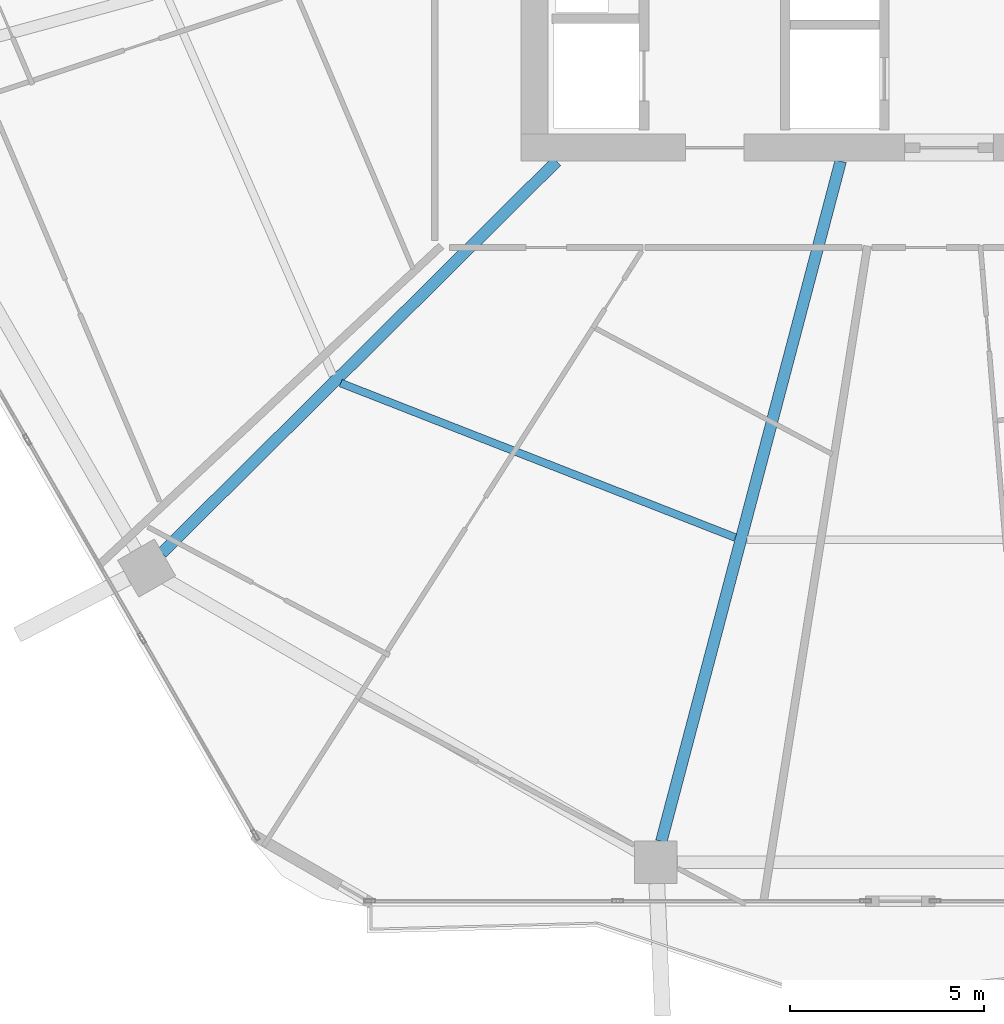
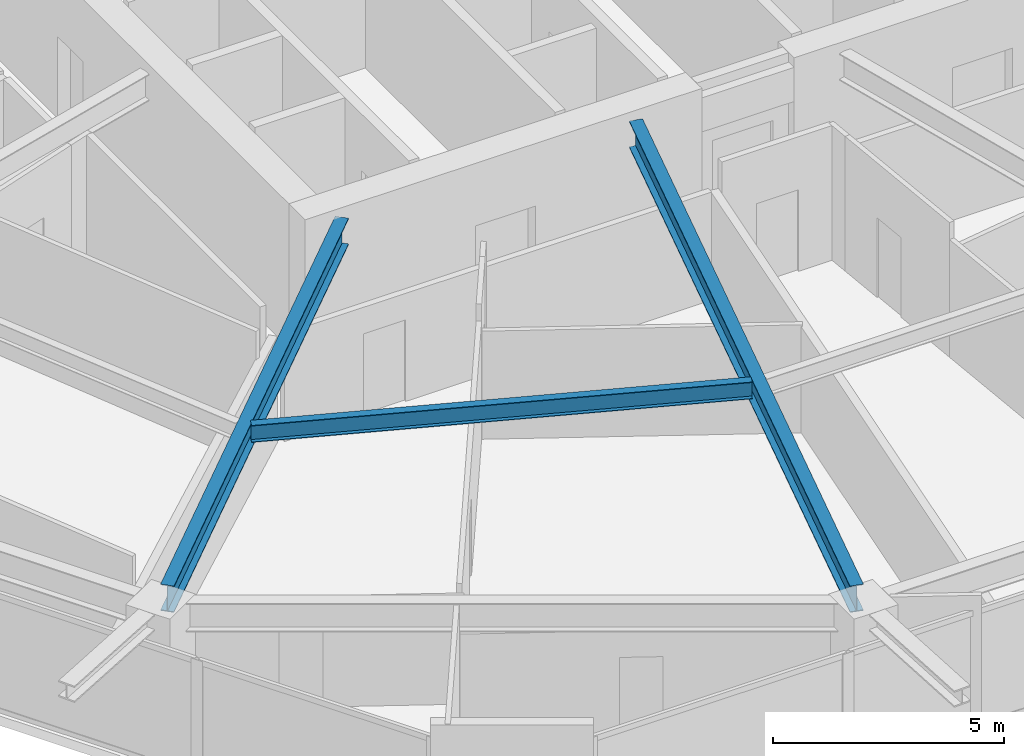
# One storey, part 4 of 33: 3 beams.
"""IFC4 building model written with IfcOpenShell, lengths in metres."""

from ifc_helpers import new_model, si_unit, direction, frame, origin, origin_2d, place, context, subcontext, project, spatial, i_section, extrude, material, material_profile, profile_set, type_object, element, save


model = new_model("IFC4")

# Units and contexts
model_context = context("Model", 3, precision=1e-05, world=origin(), true_north=direction((0.0, 1.0)))
body_context = subcontext(model_context, "Body", "Model", "MODEL_VIEW")
ifc_project = project(units=[si_unit("LENGTHUNIT", "METRE"), si_unit("AREAUNIT", "SQUARE_METRE"), si_unit("VOLUMEUNIT", "CUBIC_METRE"), si_unit("PLANEANGLEUNIT", "RADIAN"), si_unit("MASSUNIT", "GRAM", prefix="KILO")], contexts=[model_context])

# Site, building, storey
site_placement = place(None, origin())
site = spatial("IfcSite", under=ifc_project, at=site_placement, CompositionType="ELEMENT")
building_placement = place(site_placement, origin())
building = spatial("IfcBuilding", under=site, at=building_placement, Name="Zuhravey Tower", CompositionType="ELEMENT")
storey_placement = place(building_placement, frame((0.0, 0.0, 126.60009765625)))
storey = spatial("IfcBuildingStorey", under=building, at=storey_placement, Name="L31", CompositionType="ELEMENT", Elevation=126.60009765625)

# Beams
ifc_material = material(Name="Steel SM355", Category="steel")
ifc_material_profile_1 = material_profile(ifc_material, i_section(OverallWidth=0.300048828125, OverallDepth=0.699951171875, WebThickness=0.012939453125, FlangeThickness=0.02392578125, at=origin_2d()), Name="H-700x300x13x24")
ifc_profile_set_1 = profile_set([ifc_material_profile_1], Name="Steel SM355")
beam_type_1 = type_object("IfcBeamType", Name="Radial Primary Girder H700x300", PredefinedType="BEAM", material=ifc_profile_set_1)
beam_1_placement = place(storey_placement, frame((26.068603515625, 22.14697265625, 3.199951171875), z_axis=(-0.709906230344, -0.704296204816, 0.0), x_axis=(0.704296204816, -0.709906230344, 0.0)))
element("IfcBeam", 1, at=beam_1_placement, inside=storey, type_object=beam_type_1, Name="L31 RG1 BM-L31-RAD-08", PredefinedType="BEAM", context=body_context, shape_type="SweptSolid", body=[
    extrude(i_section(OverallWidth=0.300048828125, OverallDepth=0.699951171875, WebThickness=0.012939453125, FlangeThickness=0.02392578125, at=origin_2d()), origin(), (0.0, 0.0, 1.0), 14.361083984375),
])
beam_2_placement = place(storey_placement, frame((33.40185546875, 22.14697265625, 3.199951171875), z_axis=(-0.25498755891, -0.966944333869, 0.0), x_axis=(0.966944333869, -0.25498755891, 0.0)))
element("IfcBeam", 2, at=beam_2_placement, inside=storey, type_object=beam_type_1, Name="L31 RG1 BM-L31-RAD-09", PredefinedType="BEAM", context=body_context, shape_type="SweptSolid", body=[
    extrude(i_section(OverallWidth=0.300048828125, OverallDepth=0.699951171875, WebThickness=0.012939453125, FlangeThickness=0.02392578125, at=origin_2d()), origin(), (0.0, 0.0, 1.0), 18.1611328125),
])
ifc_material_profile_2 = material_profile(ifc_material, i_section(OverallWidth=0.199951171875, OverallDepth=0.449951171875, WebThickness=0.009033203125, FlangeThickness=0.013916015625, at=origin_2d()), Name="H-450x200x9x14")
ifc_profile_set_2 = profile_set([ifc_material_profile_2], Name="Steel SM355")
beam_type_2 = type_object("IfcBeamType", Name="Secondary Floor Joist H450x200", PredefinedType="JOIST", material=ifc_profile_set_2)
beam_3_placement = place(storey_placement, frame((20.49462890625, 16.418701171875, 3.324951171875), z_axis=(0.931216764731, -0.364465824302, 0.0), x_axis=(0.364465824302, 0.931216764731, 0.0)))
element("IfcBeam", 3, at=beam_3_placement, inside=storey, type_object=beam_type_2, Name="L31 SJ1 BM-L31-SJ-08-1", PredefinedType="JOIST", context=body_context, shape_type="SweptSolid", body=[
    extrude(i_section(OverallWidth=0.199951171875, OverallDepth=0.449951171875, WebThickness=0.009033203125, FlangeThickness=0.013916015625, at=origin_2d()), origin(), (0.0, 0.0, 1.0), 10.939453125),
])

save(model, "model.ifc")
